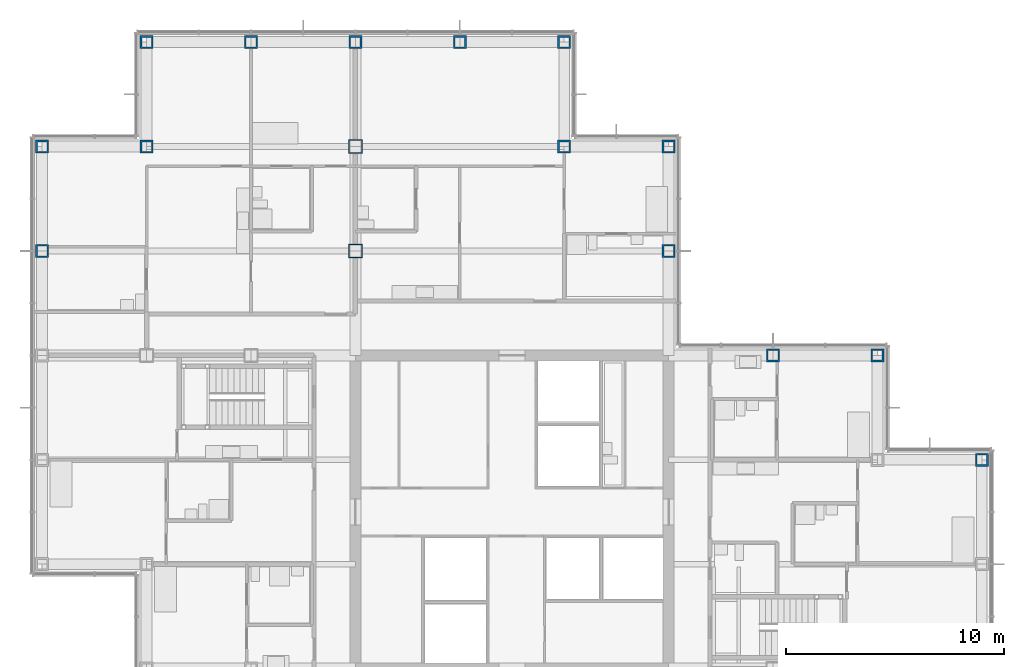
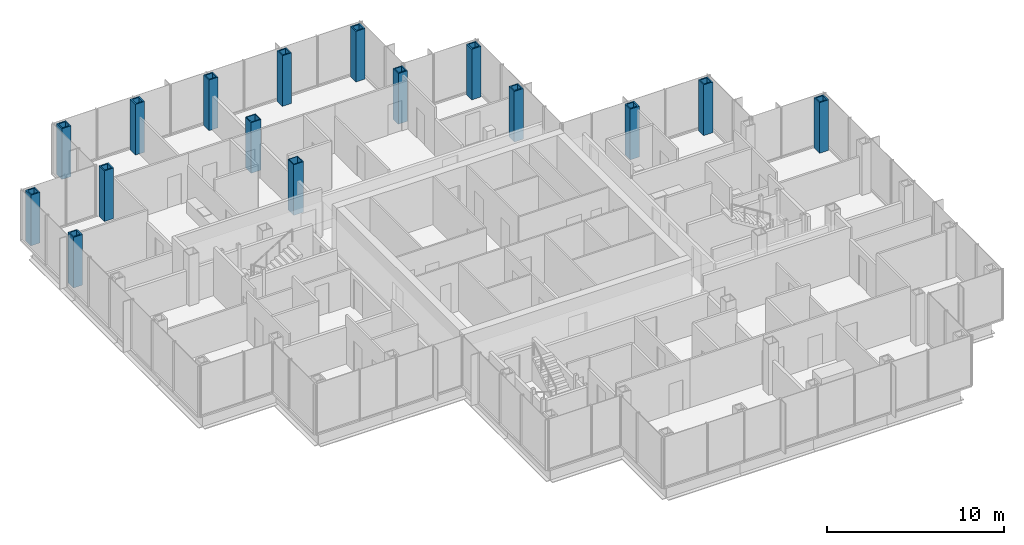
# One storey, part 5 of 20: 16 columns.
"""IFC4 building model written with IfcOpenShell, lengths in metres."""

from ifc_helpers import new_model, si_unit, direction, frame, origin, origin_2d, place, context, subcontext, project, spatial, hollow_rectangle, extrude, material, material_profile, profile_set, type_object, element, save


model = new_model("IFC4")

# Units and contexts
model_context = context("Model", 3, precision=1e-05, world=origin(), true_north=direction((0.0, 1.0)))
body_context = subcontext(model_context, "Body", "Model", "MODEL_VIEW")
ifc_project = project(units=[si_unit("LENGTHUNIT", "METRE"), si_unit("AREAUNIT", "SQUARE_METRE"), si_unit("VOLUMEUNIT", "CUBIC_METRE"), si_unit("PLANEANGLEUNIT", "RADIAN"), si_unit("MASSUNIT", "GRAM", prefix="KILO")], contexts=[model_context])

# Site, building, storey
site_placement = place(None, origin())
site = spatial("IfcSite", under=ifc_project, at=site_placement, CompositionType="ELEMENT")
building_placement = place(site_placement, origin())
building = spatial("IfcBuilding", under=site, at=building_placement, Name="Kvirike Care Tower", CompositionType="ELEMENT")
storey_placement = place(building_placement, frame((0.0, 0.0, 126.0)))
storey = spatial("IfcBuildingStorey", under=building, at=storey_placement, Name="L34", CompositionType="ELEMENT", Elevation=126.0)

# Columns
ifc_material_1 = material(Name="Steel S460", Category="steel")
ifc_material_profile_1 = material_profile(ifc_material_1, hollow_rectangle(XDim=0.60009765625, YDim=0.60009765625, WallThickness=0.080078125, at=origin_2d()), Name="BX 600x600x80")
ifc_profile_set_1 = profile_set([ifc_material_profile_1], Name="Steel S460")
column_type_1 = type_object("IfcColumnType", Name="COLUMN BX 600x600x80", PredefinedType="COLUMN", material=ifc_profile_set_1)
for number, where, z_axis, x_axis, name in (
    (1, (0.0, 48.0, 0.0), (0.0, 0.0, 1.0), (1.0, 0.0, 0.0), "Column L3 L34"),
    (2, (0.0, 52.800048828125, 0.0), (0.0, 0.0, 1.0), (0.0, 1.0, 0.0), "Column M3 L34"),
    (3, (4.800048828125, 52.800048828125, 0.0), (0.0, 0.0, 1.0), (0.0, 1.0, 0.0), "Column M4 L34"),
    (4, (4.800048828125, 57.60009765625, 0.0), (0.0, 0.0, 1.0), (0.0, 1.0, 0.0), "Column N4 L34"),
    (5, (9.60009765625, 57.60009765625, 0.0), (0.0, 0.0, 1.0), (0.0, 1.0, 0.0), "Column N5 L34"),
    (6, (14.39990234375, 57.60009765625, 0.0), (0.0, 0.0, 1.0), (0.0, 1.0, 0.0), "Column N6 L34"),
    (7, (19.199951171875, 57.60009765625, 0.0), (0.0, 0.0, 1.0), (0.0, 1.0, 0.0), "Column N7 L34"),
    (8, (24.0, 52.800048828125, 0.0), (0.0, 0.0, 1.0), (0.0, 1.0, 0.0), "Column M8 L34"),
    (9, (24.0, 57.60009765625, 0.0), (0.0, 0.0, 1.0), (0.0, 1.0, 0.0), "Column N8 L34"),
    (10, (28.800048828125, 48.0, 0.0), (0.0, 0.0, 1.0), (1.0, 0.0, 0.0), "Column L9 L34"),
    (11, (28.800048828125, 52.800048828125, 0.0), (0.0, 0.0, 1.0), (0.0, 1.0, 0.0), "Column M9 L34"),
    (12, (33.60009765625, 43.199951171875, 0.0), (0.0, 0.0, 1.0), (0.0, 1.0, 0.0), "Column K10 L34"),
    (13, (38.39990234375, 43.199951171875, 0.0), (0.0, 0.0, 1.0), (0.0, 1.0, 0.0), "Column K11 L34"),
    (14, (43.199951171875, 38.39990234375, 0.0), (0.0, 0.0, 1.0), (0.0, 1.0, 0.0), "Column J12 L34"),
):
    element("IfcColumn", number, at=place(storey_placement, frame(where, z_axis=z_axis, x_axis=x_axis)), inside=storey, type_object=column_type_1, Name=name, PredefinedType="COLUMN", context=body_context, shape_type="SweptSolid", body=[
        extrude(hollow_rectangle(XDim=0.60009765625, YDim=0.60009765625, WallThickness=0.080078125, at=origin_2d()), origin(), (0.0, 0.0, 1.0), 3.5),
    ])
ifc_material_2 = material(Name="Steel S460", Category="steel")
ifc_material_profile_2 = material_profile(ifc_material_2, hollow_rectangle(XDim=0.64990234375, YDim=0.64990234375, WallThickness=0.050048828125, at=origin_2d()), Name="BX 650x650x50")
ifc_profile_set_2 = profile_set([ifc_material_profile_2], Name="Steel S460")
column_type_2 = type_object("IfcColumnType", Name="COLUMN BX 650x650x50", PredefinedType="COLUMN", material=ifc_profile_set_2)
for number, where, z_axis, x_axis, name in (
    (15, (14.39990234375, 48.0, 0.0), (0.0, 0.0, 1.0), (1.0, 0.0, 0.0), "Column L6 L34"),
    (16, (14.39990234375, 52.800048828125, 0.0), (0.0, 0.0, 1.0), (1.0, 0.0, 0.0), "Column M6 L34"),
):
    element("IfcColumn", number, at=place(storey_placement, frame(where, z_axis=z_axis, x_axis=x_axis)), inside=storey, type_object=column_type_2, Name=name, PredefinedType="COLUMN", context=body_context, shape_type="SweptSolid", body=[
        extrude(hollow_rectangle(XDim=0.64990234375, YDim=0.64990234375, WallThickness=0.050048828125, at=origin_2d()), origin(), (0.0, 0.0, 1.0), 3.5),
    ])

save(model, "model.ifc")
